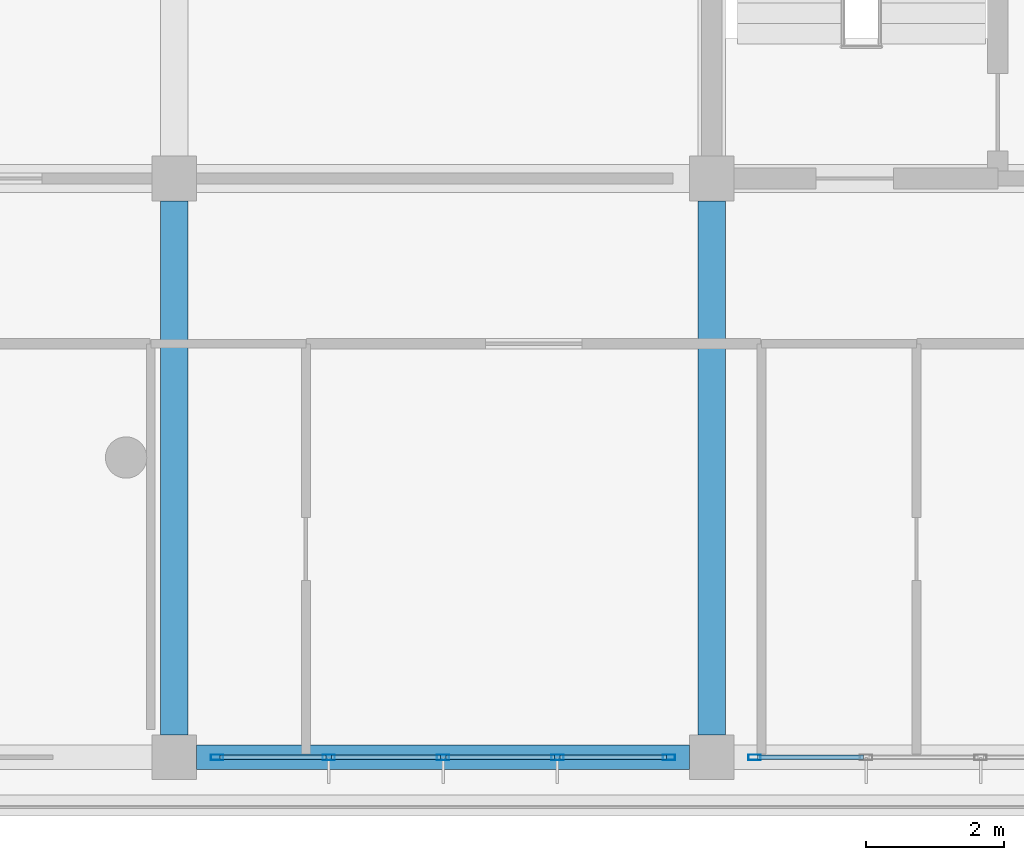
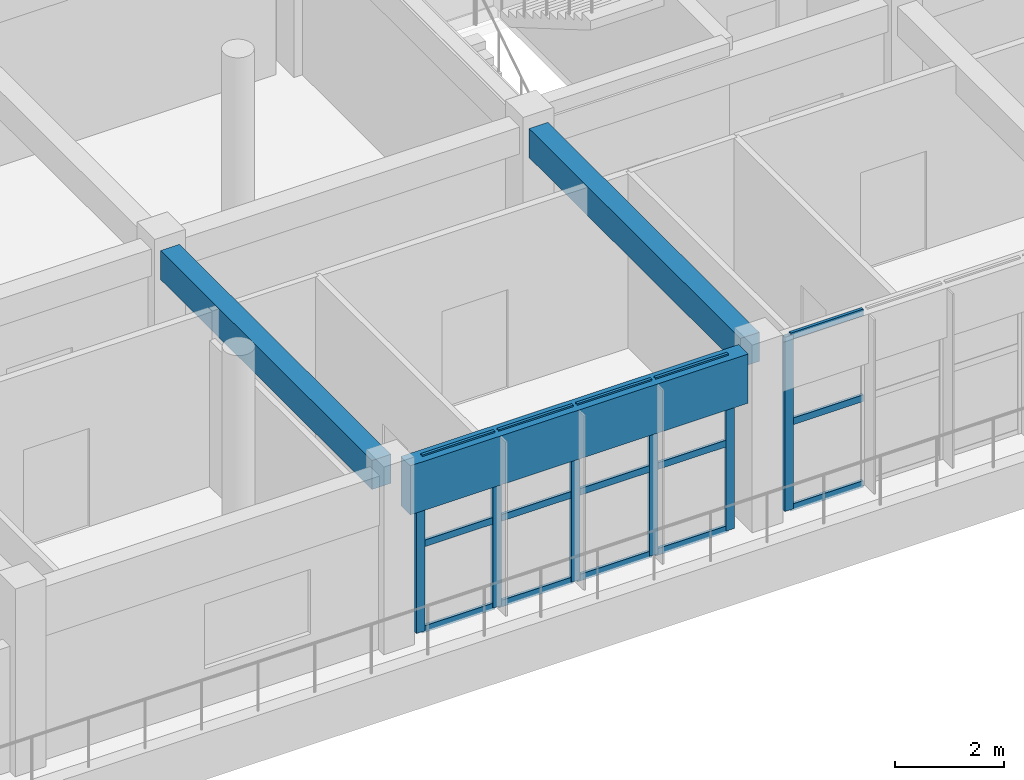
# One storey, part 6 of 57: 21 members, 3 beams, 2 elements without a shape of their own.
"""IFC4 building model written with IfcOpenShell, lengths in metres."""

from ifc_helpers import new_model, si_unit, direction, frame, origin, origin_2d, place, context, subcontext, project, spatial, rectangle, hollow_rectangle, extrude, material, layer, layer_set, material_profile, profile_set, type_object, element, aggregate, save


model = new_model("IFC4")

# Units and contexts
model_context = context("Model", 3, precision=1e-05, world=origin(), true_north=direction((0.0, 1.0)))
body_context = subcontext(model_context, "Body", "Model", "MODEL_VIEW")
ifc_project = project(units=[si_unit("LENGTHUNIT", "METRE"), si_unit("AREAUNIT", "SQUARE_METRE"), si_unit("VOLUMEUNIT", "CUBIC_METRE"), si_unit("PLANEANGLEUNIT", "RADIAN"), si_unit("MASSUNIT", "GRAM", prefix="KILO")], contexts=[model_context])

# Site, building, storey
site_placement = place(None, origin())
site = spatial("IfcSite", under=ifc_project, at=site_placement, CompositionType="ELEMENT")
building_placement = place(site_placement, origin())
building = spatial("IfcBuilding", under=site, at=building_placement, Name="Zizhar Promenade General Hospital", CompositionType="ELEMENT")
storey_placement = place(building_placement, frame((0.0, 0.0, 22.199951171875)))
storey = spatial("IfcBuildingStorey", under=building, at=storey_placement, Name="L05", CompositionType="ELEMENT", Elevation=22.199951171875)

# Beams
ifc_material_1 = material(Name="Precast concrete C40/50", Category="concrete")
ifc_material_profile_1 = material_profile(ifc_material_1, rectangle(XDim=0.35009765625, YDim=1.10009765625, at=origin_2d()))
ifc_profile_set_1 = profile_set([ifc_material_profile_1], Name="Precast concrete C40/50")
beam_type_1 = type_object("IfcBeamType", Name="BM-PC-BAND1100", PredefinedType="SPANDREL", material=ifc_profile_set_1)
beam_placement = place(storey_placement, frame((39.324951171875, 0.0, 3.360107421875), z_axis=(1.0, 0.0, 0.0), x_axis=(0.0, 1.0, 0.0)))
element("IfcBeam", 1, at=beam_placement, inside=storey, type_object=beam_type_1, Name="Grid Beam X L05 (5-0)", PredefinedType="SPANDREL", context=body_context, shape_type="SweptSolid", body=[
    extrude(rectangle(XDim=0.35009765625, YDim=1.10009765625, at=origin_2d()), origin(), (0.0, 0.0, 1.0), 7.150146484375),
])
ifc_material_2 = material(Name="Concrete C35/45", Category="concrete")
ifc_material_profile_2 = material_profile(ifc_material_2, rectangle(XDim=0.39990234375, YDim=0.64990234375, at=origin_2d()))
ifc_profile_set_2 = profile_set([ifc_material_profile_2], Name="Concrete C35/45")
beam_type_2 = type_object("IfcBeamType", Name="BM-RC-400x650", PredefinedType="BEAM", material=ifc_profile_set_2)
for number, where, z_axis, x_axis, name in (
    (2, (39.0, 0.324951171875, 3.5849609375), (0.0, 1.0, 0.0), (-1.0, 0.0, 0.0), "Grid Beam Y L05 (5-0)"),
    (3, (46.800048828125, 0.324951171875, 3.5849609375), (0.0, 1.0, 0.0), (-1.0, 0.0, 0.0), "Grid Beam Y L05 (6-0)"),
):
    element("IfcBeam", number, at=place(storey_placement, frame(where, z_axis=z_axis, x_axis=x_axis)), inside=storey, type_object=beam_type_2, Name=name, PredefinedType="BEAM", context=body_context, shape_type="SweptSolid", body=[
        extrude(rectangle(XDim=0.39990234375, YDim=0.64990234375, at=origin_2d()), origin(), (0.0, 0.0, 1.0), 7.75),
    ])

# Curtain wall, member
ifc_material_3 = material(Name="Anodised aluminium 6063-T6 and low-E glass", Category="aluminium")
ifc_layer = layer(ifc_material_3, 0.159912109375)
ifc_layer_set = layer_set([ifc_layer], Name="Anodised aluminium 6063-T6 and low-E glass")
curtain_wall_type = type_object("IfcCurtainWallType", Name="CW-WARD-RIB", PredefinedType="NOTDEFINED", material=ifc_layer_set)
curtain_wall_1_placement = place(storey_placement, origin())
curtain_wall_1 = element("IfcCurtainWall", 4, at=curtain_wall_1_placement, inside=storey, type_object=curtain_wall_type, Name="Ward Ribbon Curtain Wall L05-17-8", PredefinedType="NOTDEFINED")
ifc_material_4 = material(Name="Anodised aluminium 6063-T6", Category="aluminium")
ifc_material_profile_3 = material_profile(ifc_material_4, hollow_rectangle(XDim=0.080078125, YDim=0.179931640625, WallThickness=0.0048828125, at=origin_2d()))
ifc_profile_set_3 = profile_set([ifc_material_profile_3], Name="Anodised aluminium 6063-T6")
member_type_1 = type_object("IfcMemberType", Name="CWM-ALU-180x80", PredefinedType="MULLION", material=ifc_profile_set_3)
member_1_placement = place(storey_placement, frame((47.419921875, 0.0, 0.0), z_axis=(0.0, 0.0, 1.0), x_axis=(0.0, -1.0, 0.0)))
member_1 = element("IfcMember", 5, at=member_1_placement, type_object=member_type_1, Name="CW-13 mullion 5", PredefinedType="MULLION", context=body_context, shape_type="SweptSolid", body=[
    extrude(hollow_rectangle(XDim=0.080078125, YDim=0.179931640625, WallThickness=0.0048828125, at=origin_2d()), origin(), (0.0, 0.0, 1.0), 3.900146484375),
])

# Curtain wall, members
curtain_wall_2_placement = place(storey_placement, origin())
curtain_wall_2 = element("IfcCurtainWall", 6, at=curtain_wall_2_placement, inside=storey, type_object=curtain_wall_type, Name="Ward Ribbon Curtain Wall L05-17-9", PredefinedType="NOTDEFINED")
member_2_placement = place(storey_placement, frame((46.179931640625, 0.0, 0.0), z_axis=(0.0, 0.0, 1.0), x_axis=(0.0, -1.0, 0.0)))
member_2 = element("IfcMember", 7, at=member_2_placement, type_object=member_type_1, Name="CW-13 mullion 1", PredefinedType="MULLION", context=body_context, shape_type="SweptSolid", body=[
    extrude(hollow_rectangle(XDim=0.080078125, YDim=0.179931640625, WallThickness=0.0048828125, at=origin_2d()), origin(), (0.0, 0.0, 1.0), 3.900146484375),
])
member_3_placement = place(storey_placement, frame((44.56005859375, 0.0, 0.0), z_axis=(0.0, 0.0, 1.0), x_axis=(0.0, -1.0, 0.0)))
member_3 = element("IfcMember", 8, at=member_3_placement, type_object=member_type_1, Name="CW-13 mullion 2", PredefinedType="MULLION", context=body_context, shape_type="SweptSolid", body=[
    extrude(hollow_rectangle(XDim=0.080078125, YDim=0.179931640625, WallThickness=0.0048828125, at=origin_2d()), origin(), (0.0, 0.0, 1.0), 3.900146484375),
])
member_4_placement = place(storey_placement, frame((42.89990234375, 0.0, 0.0), z_axis=(0.0, 0.0, 1.0), x_axis=(0.0, -1.0, 0.0)))
member_4 = element("IfcMember", 9, at=member_4_placement, type_object=member_type_1, Name="CW-13 mullion 3", PredefinedType="MULLION", context=body_context, shape_type="SweptSolid", body=[
    extrude(hollow_rectangle(XDim=0.080078125, YDim=0.179931640625, WallThickness=0.0048828125, at=origin_2d()), origin(), (0.0, 0.0, 1.0), 3.900146484375),
])
member_5_placement = place(storey_placement, frame((41.239990234375, 0.0, 0.0), z_axis=(0.0, 0.0, 1.0), x_axis=(0.0, -1.0, 0.0)))
member_5 = element("IfcMember", 10, at=member_5_placement, type_object=member_type_1, Name="CW-13 mullion 4", PredefinedType="MULLION", context=body_context, shape_type="SweptSolid", body=[
    extrude(hollow_rectangle(XDim=0.080078125, YDim=0.179931640625, WallThickness=0.0048828125, at=origin_2d()), origin(), (0.0, 0.0, 1.0), 3.900146484375),
])
member_6_placement = place(storey_placement, frame((39.6201171875, 0.0, 0.0), z_axis=(0.0, 0.0, 1.0), x_axis=(0.0, -1.0, 0.0)))
member_6 = element("IfcMember", 11, at=member_6_placement, type_object=member_type_1, Name="CW-13 mullion 5", PredefinedType="MULLION", context=body_context, shape_type="SweptSolid", body=[
    extrude(hollow_rectangle(XDim=0.080078125, YDim=0.179931640625, WallThickness=0.0048828125, at=origin_2d()), origin(), (0.0, 0.0, 1.0), 3.900146484375),
])

# Member
ifc_material_5 = material(Name="Anodised aluminium 6063-T6", Category="aluminium")
ifc_material_profile_4 = material_profile(ifc_material_5, hollow_rectangle(XDim=0.06005859375, YDim=0.14990234375, WallThickness=0.00390625, at=origin_2d()))
ifc_profile_set_4 = profile_set([ifc_material_profile_4], Name="Anodised aluminium 6063-T6")
member_type_2 = type_object("IfcMemberType", Name="CWT-ALU-150x60", PredefinedType="USERDEFINED", material=ifc_profile_set_4)
member_7_placement = place(storey_placement, frame((49.0, 0.0, 0.030029296875), z_axis=(-1.0, 0.0, 0.0), x_axis=(0.0, -1.0, 0.0)))
member_7 = element("IfcMember", 12, at=member_7_placement, type_object=member_type_2, Name="CW-13 transom 4.1", ObjectType="TRANSOM", PredefinedType="USERDEFINED", context=body_context, shape_type="SweptSolid", body=[
    extrude(hollow_rectangle(XDim=0.06005859375, YDim=0.14990234375, WallThickness=0.00390625, at=origin_2d()), origin(), (0.0, 0.0, 1.0), 1.5400390625),
])

member_8_placement = place(storey_placement, frame((49.0, 0.0, 1.949951171875), z_axis=(-1.0, 0.0, 0.0), x_axis=(0.0, -1.0, 0.0)))
member_8 = element("IfcMember", 13, at=member_8_placement, type_object=member_type_2, Name="CW-13 transom 4.2", ObjectType="TRANSOM", PredefinedType="USERDEFINED", context=body_context, shape_type="SweptSolid", body=[
    extrude(hollow_rectangle(XDim=0.06005859375, YDim=0.14990234375, WallThickness=0.00390625, at=origin_2d()), origin(), (0.0, 0.0, 1.0), 1.5400390625),
])

member_9_placement = place(storey_placement, frame((49.0, 0.0, 3.8701171875), z_axis=(-1.0, 0.0, 0.0), x_axis=(0.0, -1.0, 0.0)))
member_9 = element("IfcMember", 14, at=member_9_placement, type_object=member_type_2, Name="CW-13 transom 4.3", ObjectType="TRANSOM", PredefinedType="USERDEFINED", context=body_context, shape_type="SweptSolid", body=[
    extrude(hollow_rectangle(XDim=0.06005859375, YDim=0.14990234375, WallThickness=0.00390625, at=origin_2d()), origin(), (0.0, 0.0, 1.0), 1.5400390625),
])

aggregate(curtain_wall_1, [member_1, member_7, member_8, member_9])

member_10_placement = place(storey_placement, frame((46.139892578125, 0.0, 0.030029296875), z_axis=(-1.0, 0.0, 0.0), x_axis=(0.0, -1.0, 0.0)))
member_10 = element("IfcMember", 15, at=member_10_placement, type_object=member_type_2, Name="CW-13 transom 1.1", ObjectType="TRANSOM", PredefinedType="USERDEFINED", context=body_context, shape_type="SweptSolid", body=[
    extrude(hollow_rectangle(XDim=0.06005859375, YDim=0.14990234375, WallThickness=0.00390625, at=origin_2d()), origin(), (0.0, 0.0, 1.0), 1.539794921875),
])

member_11_placement = place(storey_placement, frame((46.139892578125, 0.0, 1.949951171875), z_axis=(-1.0, 0.0, 0.0), x_axis=(0.0, -1.0, 0.0)))
member_11 = element("IfcMember", 16, at=member_11_placement, type_object=member_type_2, Name="CW-13 transom 1.2", ObjectType="TRANSOM", PredefinedType="USERDEFINED", context=body_context, shape_type="SweptSolid", body=[
    extrude(hollow_rectangle(XDim=0.06005859375, YDim=0.14990234375, WallThickness=0.00390625, at=origin_2d()), origin(), (0.0, 0.0, 1.0), 1.539794921875),
])

member_12_placement = place(storey_placement, frame((46.139892578125, 0.0, 3.8701171875), z_axis=(-1.0, 0.0, 0.0), x_axis=(0.0, -1.0, 0.0)))
member_12 = element("IfcMember", 17, at=member_12_placement, type_object=member_type_2, Name="CW-13 transom 1.3", ObjectType="TRANSOM", PredefinedType="USERDEFINED", context=body_context, shape_type="SweptSolid", body=[
    extrude(hollow_rectangle(XDim=0.06005859375, YDim=0.14990234375, WallThickness=0.00390625, at=origin_2d()), origin(), (0.0, 0.0, 1.0), 1.539794921875),
])

member_13_placement = place(storey_placement, frame((44.52001953125, 0.0, 0.030029296875), z_axis=(-1.0, 0.0, 0.0), x_axis=(0.0, -1.0, 0.0)))
member_13 = element("IfcMember", 18, at=member_13_placement, type_object=member_type_2, Name="CW-13 transom 2.1", ObjectType="TRANSOM", PredefinedType="USERDEFINED", context=body_context, shape_type="SweptSolid", body=[
    extrude(hollow_rectangle(XDim=0.06005859375, YDim=0.14990234375, WallThickness=0.00390625, at=origin_2d()), origin(), (0.0, 0.0, 1.0), 1.580078125),
])

member_14_placement = place(storey_placement, frame((44.52001953125, 0.0, 1.949951171875), z_axis=(-1.0, 0.0, 0.0), x_axis=(0.0, -1.0, 0.0)))
member_14 = element("IfcMember", 19, at=member_14_placement, type_object=member_type_2, Name="CW-13 transom 2.2", ObjectType="TRANSOM", PredefinedType="USERDEFINED", context=body_context, shape_type="SweptSolid", body=[
    extrude(hollow_rectangle(XDim=0.06005859375, YDim=0.14990234375, WallThickness=0.00390625, at=origin_2d()), origin(), (0.0, 0.0, 1.0), 1.580078125),
])

member_15_placement = place(storey_placement, frame((44.52001953125, 0.0, 3.8701171875), z_axis=(-1.0, 0.0, 0.0), x_axis=(0.0, -1.0, 0.0)))
member_15 = element("IfcMember", 20, at=member_15_placement, type_object=member_type_2, Name="CW-13 transom 2.3", ObjectType="TRANSOM", PredefinedType="USERDEFINED", context=body_context, shape_type="SweptSolid", body=[
    extrude(hollow_rectangle(XDim=0.06005859375, YDim=0.14990234375, WallThickness=0.00390625, at=origin_2d()), origin(), (0.0, 0.0, 1.0), 1.580078125),
])

member_16_placement = place(storey_placement, frame((42.860107421875, 0.0, 0.030029296875), z_axis=(-1.0, 0.0, 0.0), x_axis=(0.0, -1.0, 0.0)))
member_16 = element("IfcMember", 21, at=member_16_placement, type_object=member_type_2, Name="CW-13 transom 3.1", ObjectType="TRANSOM", PredefinedType="USERDEFINED", context=body_context, shape_type="SweptSolid", body=[
    extrude(hollow_rectangle(XDim=0.06005859375, YDim=0.14990234375, WallThickness=0.00390625, at=origin_2d()), origin(), (0.0, 0.0, 1.0), 1.580078125),
])

member_17_placement = place(storey_placement, frame((42.860107421875, 0.0, 1.949951171875), z_axis=(-1.0, 0.0, 0.0), x_axis=(0.0, -1.0, 0.0)))
member_17 = element("IfcMember", 22, at=member_17_placement, type_object=member_type_2, Name="CW-13 transom 3.2", ObjectType="TRANSOM", PredefinedType="USERDEFINED", context=body_context, shape_type="SweptSolid", body=[
    extrude(hollow_rectangle(XDim=0.06005859375, YDim=0.14990234375, WallThickness=0.00390625, at=origin_2d()), origin(), (0.0, 0.0, 1.0), 1.580078125),
])

member_18_placement = place(storey_placement, frame((42.860107421875, 0.0, 3.8701171875), z_axis=(-1.0, 0.0, 0.0), x_axis=(0.0, -1.0, 0.0)))
member_18 = element("IfcMember", 23, at=member_18_placement, type_object=member_type_2, Name="CW-13 transom 3.3", ObjectType="TRANSOM", PredefinedType="USERDEFINED", context=body_context, shape_type="SweptSolid", body=[
    extrude(hollow_rectangle(XDim=0.06005859375, YDim=0.14990234375, WallThickness=0.00390625, at=origin_2d()), origin(), (0.0, 0.0, 1.0), 1.580078125),
])

member_19_placement = place(storey_placement, frame((41.199951171875, 0.0, 0.030029296875), z_axis=(-1.0, 0.0, 0.0), x_axis=(0.0, -1.0, 0.0)))
member_19 = element("IfcMember", 24, at=member_19_placement, type_object=member_type_2, Name="CW-13 transom 4.1", ObjectType="TRANSOM", PredefinedType="USERDEFINED", context=body_context, shape_type="SweptSolid", body=[
    extrude(hollow_rectangle(XDim=0.06005859375, YDim=0.14990234375, WallThickness=0.00390625, at=origin_2d()), origin(), (0.0, 0.0, 1.0), 1.5400390625),
])

member_20_placement = place(storey_placement, frame((41.199951171875, 0.0, 1.949951171875), z_axis=(-1.0, 0.0, 0.0), x_axis=(0.0, -1.0, 0.0)))
member_20 = element("IfcMember", 25, at=member_20_placement, type_object=member_type_2, Name="CW-13 transom 4.2", ObjectType="TRANSOM", PredefinedType="USERDEFINED", context=body_context, shape_type="SweptSolid", body=[
    extrude(hollow_rectangle(XDim=0.06005859375, YDim=0.14990234375, WallThickness=0.00390625, at=origin_2d()), origin(), (0.0, 0.0, 1.0), 1.5400390625),
])

member_21_placement = place(storey_placement, frame((41.199951171875, 0.0, 3.8701171875), z_axis=(-1.0, 0.0, 0.0), x_axis=(0.0, -1.0, 0.0)))
member_21 = element("IfcMember", 26, at=member_21_placement, type_object=member_type_2, Name="CW-13 transom 4.3", ObjectType="TRANSOM", PredefinedType="USERDEFINED", context=body_context, shape_type="SweptSolid", body=[
    extrude(hollow_rectangle(XDim=0.06005859375, YDim=0.14990234375, WallThickness=0.00390625, at=origin_2d()), origin(), (0.0, 0.0, 1.0), 1.5400390625),
])

aggregate(curtain_wall_2, [member_2, member_3, member_4, member_5, member_6, member_10, member_11, member_12, member_13, member_14, member_15, member_16, member_17, member_18, member_19, member_20, member_21])

save(model, "model.ifc")
